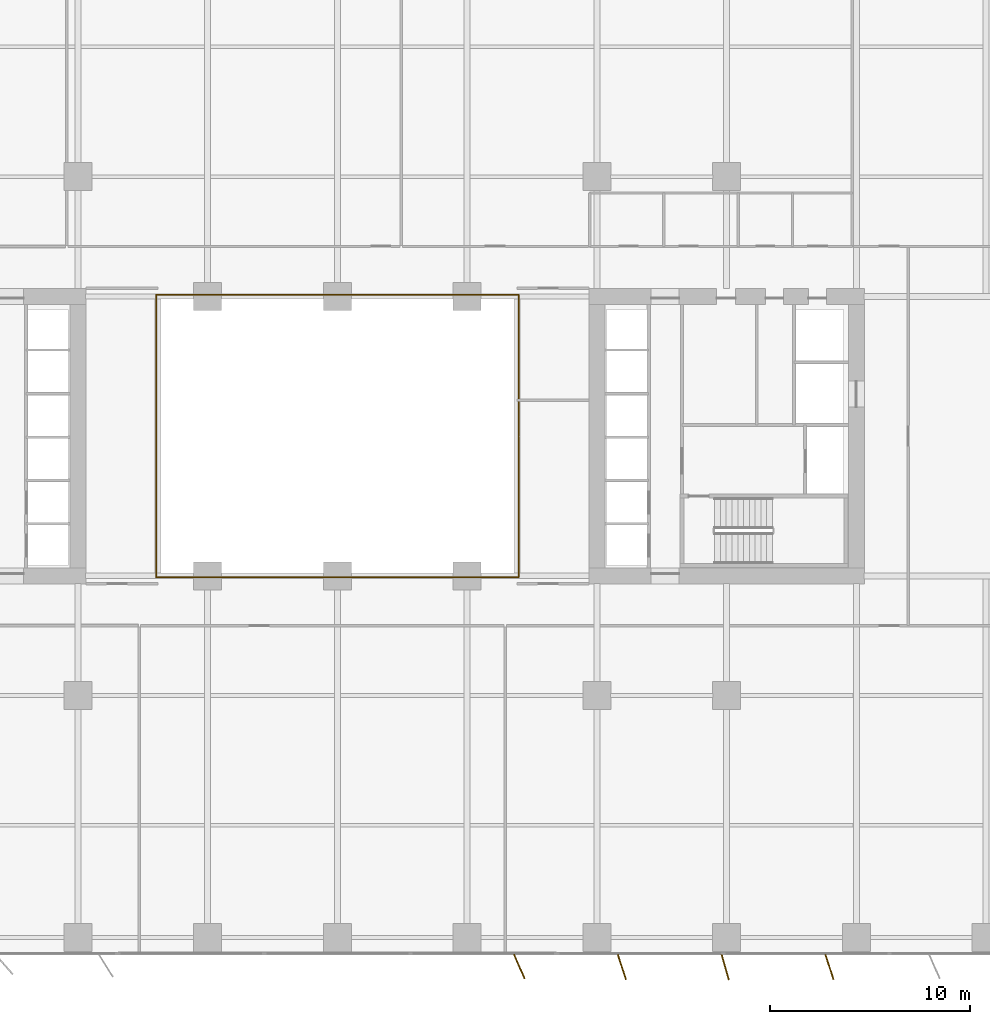
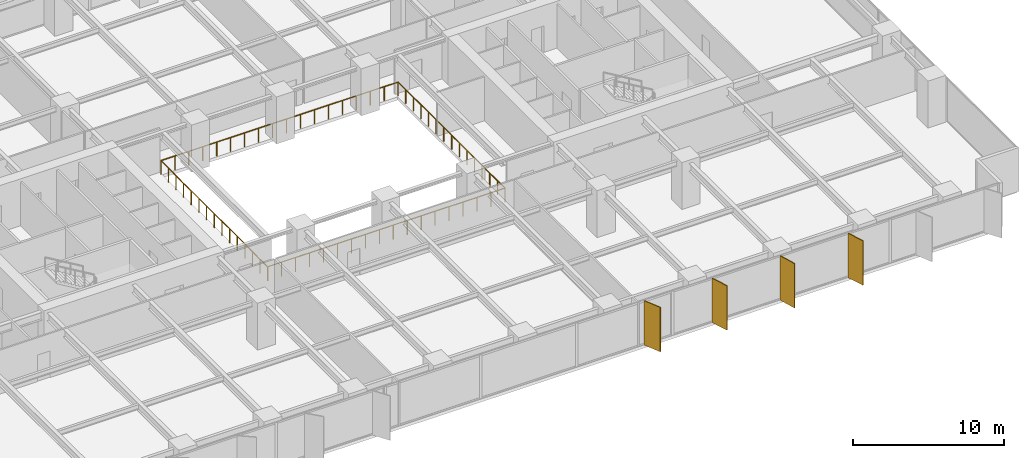
# One storey, part 18 of 20: 4 shading devices, 2 railings.
"""IFC4 building model written with IfcOpenShell, lengths in metres."""

from ifc_helpers import new_model, si_unit, direction, frame, origin, origin_2d, place, context, subcontext, project, spatial, rectangle, circle, extrude, material, layer, layer_set, type_object, element, save


model = new_model("IFC4")

# Units and contexts
model_context = context("Model", 3, precision=1e-05, world=origin(), true_north=direction((0.0, 1.0)))
body_context = subcontext(model_context, "Body", "Model", "MODEL_VIEW")
ifc_project = project(units=[si_unit("LENGTHUNIT", "METRE"), si_unit("AREAUNIT", "SQUARE_METRE"), si_unit("VOLUMEUNIT", "CUBIC_METRE"), si_unit("PLANEANGLEUNIT", "RADIAN"), si_unit("MASSUNIT", "GRAM", prefix="KILO")], contexts=[model_context])

# Site, building, storey
site_placement = place(None, origin())
site = spatial("IfcSite", under=ifc_project, at=site_placement, CompositionType="ELEMENT")
building_placement = place(site_placement, origin())
building = spatial("IfcBuilding", under=site, at=building_placement, Name="Putna Gate Headquarters", CompositionType="ELEMENT")
storey_placement = place(building_placement, frame((0.0, 0.0, 58.199951171875)))
storey = spatial("IfcBuildingStorey", under=building, at=storey_placement, Name="L13", CompositionType="ELEMENT", Elevation=58.199951171875)

# Railings
ifc_material_1 = material(Name="Anodised bronze and laminated glass atrium balustrade", Category="glass")
railing_type = type_object("IfcRailingType", Name="RAIL-ATRIUM-GUARD-1150", PredefinedType="GUARDRAIL", material=ifc_material_1)
railing_1_placement = place(storey_placement, frame((29.919921875, 25.969970703125, 0.0)))
element("IfcRailing", 1, at=railing_1_placement, inside=storey, type_object=railing_type, Name="L13 Central Atrium Glazed Balustrade South", PredefinedType="GUARDRAIL", context=body_context, shape_type="SweptSolid", body=[
    extrude(circle(Radius=0.02392578125, at=origin_2d()), frame((0.0, 0.0, 1.1259765625), z_axis=(0.0, -1.0, 0.0), x_axis=(1.0, 0.0, 0.0)), (0.0, 0.0, 1.0), 7.050048828125),
    extrude(circle(Radius=0.02392578125, at=origin_2d()), frame((0.0, -7.050048828125, 1.1259765625), z_axis=(1.0, 0.0, 0.0), x_axis=(0.0, 1.0, 0.0)), (0.0, 0.0, 1.0), 18.16015625),
    extrude(circle(Radius=0.02392578125, at=origin_2d()), frame((18.16015625, -7.050048828125, 1.1259765625), z_axis=(0.0, 1.0, 0.0), x_axis=(-1.0, 0.0, 0.0)), (0.0, 0.0, 1.0), 7.050048828125),
    extrude(circle(Radius=0.02099609375, at=origin_2d()), origin(), (0.0, 0.0, 1.0), 1.101806640625),
    extrude(circle(Radius=0.02099609375, at=origin_2d()), frame((0.0, -1.007080078125, 0.0)), (0.0, 0.0, 1.0), 1.101806640625),
    extrude(circle(Radius=0.02099609375, at=origin_2d()), frame((0.0, -2.014404296875, 0.0)), (0.0, 0.0, 1.0), 1.101806640625),
    extrude(circle(Radius=0.02099609375, at=origin_2d()), frame((0.0, -3.021484375, 0.0)), (0.0, 0.0, 1.0), 1.101806640625),
    extrude(circle(Radius=0.02099609375, at=origin_2d()), frame((0.0, -4.028564453125, 0.0)), (0.0, 0.0, 1.0), 1.101806640625),
    extrude(circle(Radius=0.02099609375, at=origin_2d()), frame((0.0, -5.03564453125, 0.0)), (0.0, 0.0, 1.0), 1.101806640625),
    extrude(circle(Radius=0.02099609375, at=origin_2d()), frame((0.0, -6.04296875, 0.0)), (0.0, 0.0, 1.0), 1.101806640625),
    extrude(circle(Radius=0.02099609375, at=origin_2d()), frame((0.0, -7.050048828125, 0.0)), (0.0, 0.0, 1.0), 1.101806640625),
    extrude(circle(Radius=0.02099609375, at=origin_2d()), frame((1.068359375, -7.050048828125, 0.0)), (0.0, 0.0, 1.0), 1.101806640625),
    extrude(circle(Radius=0.02099609375, at=origin_2d()), frame((2.136474609375, -7.050048828125, 0.0)), (0.0, 0.0, 1.0), 1.101806640625),
    extrude(circle(Radius=0.02099609375, at=origin_2d()), frame((3.204833984375, -7.050048828125, 0.0)), (0.0, 0.0, 1.0), 1.101806640625),
    extrude(circle(Radius=0.02099609375, at=origin_2d()), frame((4.27294921875, -7.050048828125, 0.0)), (0.0, 0.0, 1.0), 1.101806640625),
    extrude(circle(Radius=0.02099609375, at=origin_2d()), frame((5.34130859375, -7.050048828125, 0.0)), (0.0, 0.0, 1.0), 1.101806640625),
    extrude(circle(Radius=0.02099609375, at=origin_2d()), frame((6.409423828125, -7.050048828125, 0.0)), (0.0, 0.0, 1.0), 1.101806640625),
    extrude(circle(Radius=0.02099609375, at=origin_2d()), frame((7.477783203125, -7.050048828125, 0.0)), (0.0, 0.0, 1.0), 1.101806640625),
    extrude(circle(Radius=0.02099609375, at=origin_2d()), frame((8.5458984375, -7.050048828125, 0.0)), (0.0, 0.0, 1.0), 1.101806640625),
    extrude(circle(Radius=0.02099609375, at=origin_2d()), frame((9.6142578125, -7.050048828125, 0.0)), (0.0, 0.0, 1.0), 1.101806640625),
    extrude(circle(Radius=0.02099609375, at=origin_2d()), frame((10.682373046875, -7.050048828125, 0.0)), (0.0, 0.0, 1.0), 1.101806640625),
    extrude(circle(Radius=0.02099609375, at=origin_2d()), frame((11.750732421875, -7.050048828125, 0.0)), (0.0, 0.0, 1.0), 1.101806640625),
    extrude(circle(Radius=0.02099609375, at=origin_2d()), frame((12.81884765625, -7.050048828125, 0.0)), (0.0, 0.0, 1.0), 1.101806640625),
    extrude(circle(Radius=0.02099609375, at=origin_2d()), frame((13.88720703125, -7.050048828125, 0.0)), (0.0, 0.0, 1.0), 1.101806640625),
    extrude(circle(Radius=0.02099609375, at=origin_2d()), frame((14.955322265625, -7.050048828125, 0.0)), (0.0, 0.0, 1.0), 1.101806640625),
    extrude(circle(Radius=0.02099609375, at=origin_2d()), frame((16.023681640625, -7.050048828125, 0.0)), (0.0, 0.0, 1.0), 1.101806640625),
    extrude(circle(Radius=0.02099609375, at=origin_2d()), frame((17.091796875, -7.050048828125, 0.0)), (0.0, 0.0, 1.0), 1.101806640625),
    extrude(circle(Radius=0.02099609375, at=origin_2d()), frame((18.16015625, -7.050048828125, 0.0)), (0.0, 0.0, 1.0), 1.101806640625),
    extrude(circle(Radius=0.02099609375, at=origin_2d()), frame((18.16015625, -6.04296875, 0.0)), (0.0, 0.0, 1.0), 1.101806640625),
    extrude(circle(Radius=0.02099609375, at=origin_2d()), frame((18.16015625, -5.03564453125, 0.0)), (0.0, 0.0, 1.0), 1.101806640625),
    extrude(circle(Radius=0.02099609375, at=origin_2d()), frame((18.16015625, -4.028564453125, 0.0)), (0.0, 0.0, 1.0), 1.101806640625),
    extrude(circle(Radius=0.02099609375, at=origin_2d()), frame((18.16015625, -3.021484375, 0.0)), (0.0, 0.0, 1.0), 1.101806640625),
    extrude(circle(Radius=0.02099609375, at=origin_2d()), frame((18.16015625, -2.014404296875, 0.0)), (0.0, 0.0, 1.0), 1.101806640625),
    extrude(circle(Radius=0.02099609375, at=origin_2d()), frame((18.16015625, -1.007080078125, 0.0)), (0.0, 0.0, 1.0), 1.101806640625),
    extrude(circle(Radius=0.02099609375, at=origin_2d()), frame((18.16015625, 0.0, 0.0)), (0.0, 0.0, 1.0), 1.101806640625),
])
railing_2_placement = place(storey_placement, frame((48.080078125, 26.030029296875, 0.0)))
element("IfcRailing", 2, at=railing_2_placement, inside=storey, type_object=railing_type, Name="L13 Central Atrium Glazed Balustrade North", PredefinedType="GUARDRAIL", context=body_context, shape_type="SweptSolid", body=[
    extrude(circle(Radius=0.02392578125, at=origin_2d()), frame((0.0, 0.0, 1.1259765625), z_axis=(0.0, 1.0, 0.0), x_axis=(-1.0, 0.0, 0.0)), (0.0, 0.0, 1.0), 7.050048828125),
    extrude(circle(Radius=0.02392578125, at=origin_2d()), frame((0.0, 7.050048828125, 1.1259765625), z_axis=(-1.0, 0.0, 0.0), x_axis=(0.0, -1.0, 0.0)), (0.0, 0.0, 1.0), 18.16015625),
    extrude(circle(Radius=0.02392578125, at=origin_2d()), frame((-18.16015625, 7.050048828125, 1.1259765625), z_axis=(0.0, -1.0, 0.0), x_axis=(1.0, 0.0, 0.0)), (0.0, 0.0, 1.0), 7.050048828125),
    extrude(circle(Radius=0.02099609375, at=origin_2d()), origin(), (0.0, 0.0, 1.0), 1.101806640625),
    extrude(circle(Radius=0.02099609375, at=origin_2d()), frame((0.0, 1.007080078125, 0.0)), (0.0, 0.0, 1.0), 1.101806640625),
    extrude(circle(Radius=0.02099609375, at=origin_2d()), frame((0.0, 2.014404296875, 0.0)), (0.0, 0.0, 1.0), 1.101806640625),
    extrude(circle(Radius=0.02099609375, at=origin_2d()), frame((0.0, 3.021484375, 0.0)), (0.0, 0.0, 1.0), 1.101806640625),
    extrude(circle(Radius=0.02099609375, at=origin_2d()), frame((0.0, 4.028564453125, 0.0)), (0.0, 0.0, 1.0), 1.101806640625),
    extrude(circle(Radius=0.02099609375, at=origin_2d()), frame((0.0, 5.03564453125, 0.0)), (0.0, 0.0, 1.0), 1.101806640625),
    extrude(circle(Radius=0.02099609375, at=origin_2d()), frame((0.0, 6.04296875, 0.0)), (0.0, 0.0, 1.0), 1.101806640625),
    extrude(circle(Radius=0.02099609375, at=origin_2d()), frame((0.0, 7.050048828125, 0.0)), (0.0, 0.0, 1.0), 1.101806640625),
    extrude(circle(Radius=0.02099609375, at=origin_2d()), frame((-1.068359375, 7.050048828125, 0.0)), (0.0, 0.0, 1.0), 1.101806640625),
    extrude(circle(Radius=0.02099609375, at=origin_2d()), frame((-2.136474609375, 7.050048828125, 0.0)), (0.0, 0.0, 1.0), 1.101806640625),
    extrude(circle(Radius=0.02099609375, at=origin_2d()), frame((-3.204833984375, 7.050048828125, 0.0)), (0.0, 0.0, 1.0), 1.101806640625),
    extrude(circle(Radius=0.02099609375, at=origin_2d()), frame((-4.27294921875, 7.050048828125, 0.0)), (0.0, 0.0, 1.0), 1.101806640625),
    extrude(circle(Radius=0.02099609375, at=origin_2d()), frame((-5.34130859375, 7.050048828125, 0.0)), (0.0, 0.0, 1.0), 1.101806640625),
    extrude(circle(Radius=0.02099609375, at=origin_2d()), frame((-6.409423828125, 7.050048828125, 0.0)), (0.0, 0.0, 1.0), 1.101806640625),
    extrude(circle(Radius=0.02099609375, at=origin_2d()), frame((-7.477783203125, 7.050048828125, 0.0)), (0.0, 0.0, 1.0), 1.101806640625),
    extrude(circle(Radius=0.02099609375, at=origin_2d()), frame((-8.5458984375, 7.050048828125, 0.0)), (0.0, 0.0, 1.0), 1.101806640625),
    extrude(circle(Radius=0.02099609375, at=origin_2d()), frame((-9.6142578125, 7.050048828125, 0.0)), (0.0, 0.0, 1.0), 1.101806640625),
    extrude(circle(Radius=0.02099609375, at=origin_2d()), frame((-10.682373046875, 7.050048828125, 0.0)), (0.0, 0.0, 1.0), 1.101806640625),
    extrude(circle(Radius=0.02099609375, at=origin_2d()), frame((-11.750732421875, 7.050048828125, 0.0)), (0.0, 0.0, 1.0), 1.101806640625),
    extrude(circle(Radius=0.02099609375, at=origin_2d()), frame((-12.81884765625, 7.050048828125, 0.0)), (0.0, 0.0, 1.0), 1.101806640625),
    extrude(circle(Radius=0.02099609375, at=origin_2d()), frame((-13.88720703125, 7.050048828125, 0.0)), (0.0, 0.0, 1.0), 1.101806640625),
    extrude(circle(Radius=0.02099609375, at=origin_2d()), frame((-14.955322265625, 7.050048828125, 0.0)), (0.0, 0.0, 1.0), 1.101806640625),
    extrude(circle(Radius=0.02099609375, at=origin_2d()), frame((-16.023681640625, 7.050048828125, 0.0)), (0.0, 0.0, 1.0), 1.101806640625),
    extrude(circle(Radius=0.02099609375, at=origin_2d()), frame((-17.091796875, 7.050048828125, 0.0)), (0.0, 0.0, 1.0), 1.101806640625),
    extrude(circle(Radius=0.02099609375, at=origin_2d()), frame((-18.16015625, 7.050048828125, 0.0)), (0.0, 0.0, 1.0), 1.101806640625),
    extrude(circle(Radius=0.02099609375, at=origin_2d()), frame((-18.16015625, 6.04296875, 0.0)), (0.0, 0.0, 1.0), 1.101806640625),
    extrude(circle(Radius=0.02099609375, at=origin_2d()), frame((-18.16015625, 5.03564453125, 0.0)), (0.0, 0.0, 1.0), 1.101806640625),
    extrude(circle(Radius=0.02099609375, at=origin_2d()), frame((-18.16015625, 4.028564453125, 0.0)), (0.0, 0.0, 1.0), 1.101806640625),
    extrude(circle(Radius=0.02099609375, at=origin_2d()), frame((-18.16015625, 3.021484375, 0.0)), (0.0, 0.0, 1.0), 1.101806640625),
    extrude(circle(Radius=0.02099609375, at=origin_2d()), frame((-18.16015625, 2.014404296875, 0.0)), (0.0, 0.0, 1.0), 1.101806640625),
    extrude(circle(Radius=0.02099609375, at=origin_2d()), frame((-18.16015625, 1.007080078125, 0.0)), (0.0, 0.0, 1.0), 1.101806640625),
    extrude(circle(Radius=0.02099609375, at=origin_2d()), frame((-18.16015625, 0.0, 0.0)), (0.0, 0.0, 1.0), 1.101806640625),
])

# Shading devices
ifc_material_2 = material(Name="Anodised architectural bronze aluminium fin", Category="aluminium")
ifc_layer = layer(ifc_material_2, 0.06494140625)
ifc_layer_set = layer_set([ifc_layer], Name="Anodised architectural bronze aluminium fin")
shading_device_type = type_object("IfcShadingDeviceType", Name="SHADE-BRONZE-FIN-1320", PredefinedType="USERDEFINED", material=ifc_layer_set)
for number, where, z_axis, x_axis, name in (
    (3, (48.114501953125, -0.57958984375, -0.02001953125), (0.0, 0.0, 1.0), (0.400668879095, -0.916222925562, 0.0), "L13 Bronze Vertical Shading Fin S8"),
    (4, (53.253662109375, -0.602783203125, -0.02001953125), (0.0, 0.0, 1.0), (0.308684994204, -0.951164325631, 0.0), "L13 Bronze Vertical Shading Fin S9"),
    (5, (58.431884765625, -0.609375, -0.02001953125), (0.0, 0.0, 1.0), (0.275637355817, -0.961261695938, 0.0), "L13 Bronze Vertical Shading Fin S10"),
    (6, (63.65380859375, -0.602783203125, -0.02001953125), (0.0, 0.0, 1.0), (0.308684994204, -0.951164325631, 0.0), "L13 Bronze Vertical Shading Fin S11"),
):
    element("IfcShadingDevice", number, at=place(storey_placement, frame(where, z_axis=z_axis, x_axis=x_axis)), inside=storey, type_object=shading_device_type, Name=name, ObjectType="FIN", PredefinedType="USERDEFINED", context=body_context, shape_type="SweptSolid", body=[
        extrude(rectangle(XDim=1.320068359375, YDim=0.06494140625, at=origin_2d()), origin(), (0.0, 0.0, 1.0), 3.590087890625),
    ])

save(model, "model.ifc")
